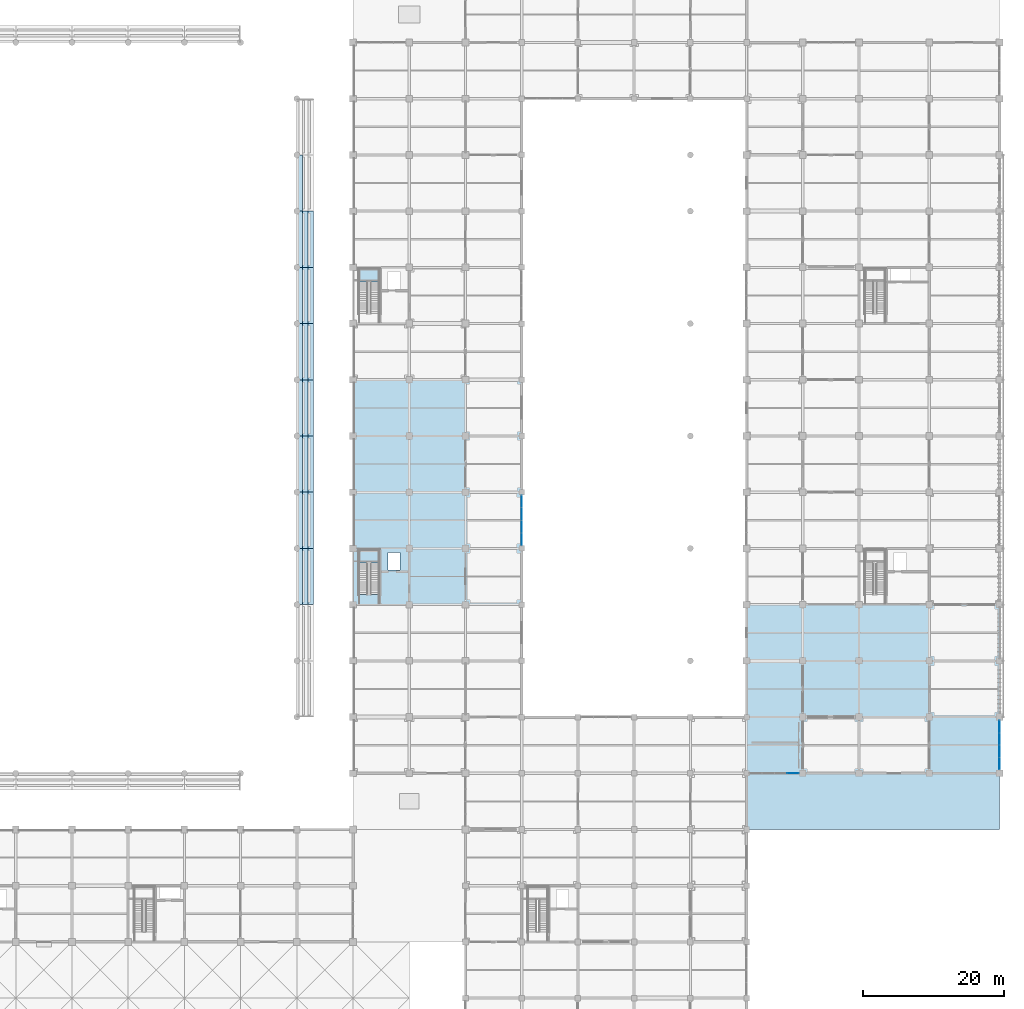
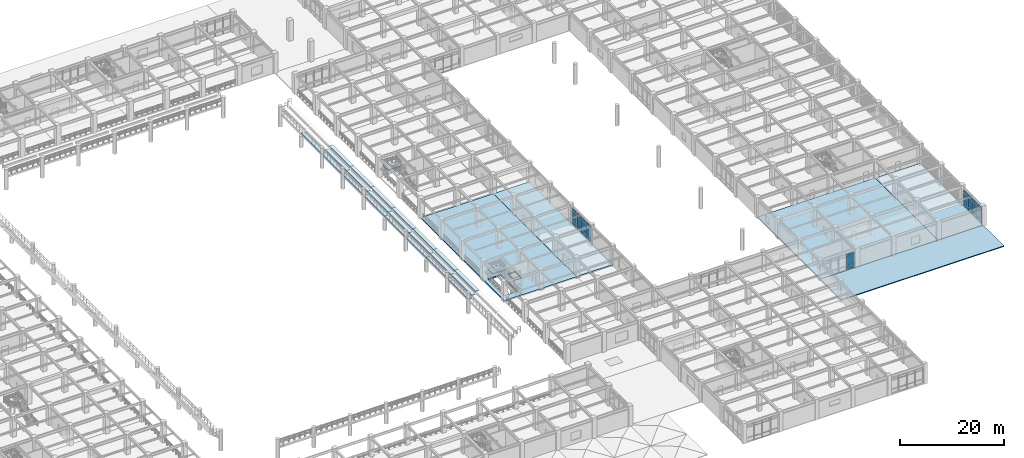
# One storey, part 60 of 109: 29 slabs, 27 plates, 5 elements without a shape of their own.
"""IFC4 building model written with IfcOpenShell, lengths in metres."""

from ifc_helpers import new_model, si_unit, direction, frame, origin, origin_2d, place, context, subcontext, project, spatial, polyline, rectangle, outline, extrude, material, layer, layer_set, type_object, element, aggregate, save


model = new_model("IFC4")

# Units and contexts
model_context = context("Model", 3, precision=1e-05, world=origin(), true_north=direction((0.0, 1.0)))
body_context = subcontext(model_context, "Body", "Model", "MODEL_VIEW")
ifc_project = project(units=[si_unit("LENGTHUNIT", "METRE"), si_unit("AREAUNIT", "SQUARE_METRE"), si_unit("VOLUMEUNIT", "CUBIC_METRE"), si_unit("PLANEANGLEUNIT", "RADIAN"), si_unit("MASSUNIT", "GRAM", prefix="KILO")], contexts=[model_context])

# Site, building, storey
site_placement = place(None, origin())
site = spatial("IfcSite", under=ifc_project, at=site_placement, CompositionType="ELEMENT")
building_placement = place(site_placement, origin())
building = spatial("IfcBuilding", under=site, at=building_placement, Name="Haebicheon Civic Stadium", CompositionType="ELEMENT")
storey_placement = place(building_placement, frame((0.0, 0.0, 9.60009765625)))
storey = spatial("IfcBuildingStorey", under=building, at=storey_placement, Name="L03", CompositionType="ELEMENT", Elevation=9.60009765625)

# Curtain wall, plates
ifc_material_1 = material(Name="Anodised aluminium and laminated glass", Category="aluminium")
ifc_layer_1 = layer(ifc_material_1, 0.179931640625, Name="Anodised aluminium and laminated glass")
ifc_layer_set_1 = layer_set([ifc_layer_1], Name="Anodised aluminium and laminated glass")
curtain_wall_type_1 = type_object("IfcCurtainWallType", Name="CW-7200x3770", PredefinedType="NOTDEFINED", material=ifc_layer_set_1)
curtain_wall_1_placement = place(storey_placement, origin())
curtain_wall_1 = element("IfcCurtainWall", 1, at=curtain_wall_1_placement, inside=storey, type_object=curtain_wall_type_1, material=ifc_layer_set_1, Name="L03 unitised curtain wall 088", PredefinedType="NOTDEFINED")
ifc_material_2 = material(Name="Double low-e laminated glass", Category="glass")
ifc_layer_2 = layer(ifc_material_2, 0.028076171875, Name="Double low-e laminated glass")
ifc_layer_set_2 = layer_set([ifc_layer_2], Name="Double low-e laminated glass")
plate_type_1 = type_object("IfcPlateType", Name="CWP-GLZ-28", PredefinedType="CURTAIN_PANEL", material=ifc_layer_set_2)
plate_1_placement = place(storey_placement, frame((168.0, 73.318115234375, 1.094970703125), z_axis=(0.0, 0.0, 1.0), x_axis=(0.0, 1.0, 0.0)))
plate_1 = element("IfcPlate", 2, at=plate_1_placement, type_object=plate_type_1, material=ifc_layer_set_2, Name="CW-L03-088 vision panel 1.2", PredefinedType="CURTAIN_PANEL", context=body_context, shape_type="SweptSolid", body=[
    extrude(rectangle(XDim=1.695068359375, YDim=0.028076171875, at=origin_2d()), origin(), (0.0, 0.0, 1.0), 2.25),
])
plate_2_placement = place(storey_placement, frame((168.0, 75.10009765625, 1.094970703125), z_axis=(0.0, 0.0, 1.0), x_axis=(0.0, 1.0, 0.0)))
plate_2 = element("IfcPlate", 3, at=plate_2_placement, type_object=plate_type_1, material=ifc_layer_set_2, Name="CW-L03-088 vision panel 2.2", PredefinedType="CURTAIN_PANEL", context=body_context, shape_type="SweptSolid", body=[
    extrude(rectangle(XDim=1.72998046875, YDim=0.028076171875, at=origin_2d()), origin(), (0.0, 0.0, 1.0), 2.25),
])
plate_3_placement = place(storey_placement, frame((168.0, 76.89990234375, 1.094970703125), z_axis=(0.0, 0.0, 1.0), x_axis=(0.0, 1.0, 0.0)))
plate_3 = element("IfcPlate", 4, at=plate_3_placement, type_object=plate_type_1, material=ifc_layer_set_2, Name="CW-L03-088 vision panel 3.2", PredefinedType="CURTAIN_PANEL", context=body_context, shape_type="SweptSolid", body=[
    extrude(rectangle(XDim=1.72998046875, YDim=0.028076171875, at=origin_2d()), origin(), (0.0, 0.0, 1.0), 2.25),
])
plate_4_placement = place(storey_placement, frame((168.0, 78.681884765625, 1.094970703125), z_axis=(0.0, 0.0, 1.0), x_axis=(0.0, 1.0, 0.0)))
plate_4 = element("IfcPlate", 5, at=plate_4_placement, type_object=plate_type_1, material=ifc_layer_set_2, Name="CW-L03-088 vision panel 4.2", PredefinedType="CURTAIN_PANEL", context=body_context, shape_type="SweptSolid", body=[
    extrude(rectangle(XDim=1.695068359375, YDim=0.028076171875, at=origin_2d()), origin(), (0.0, 0.0, 1.0), 2.25),
])

# Curtain wall, plate
ifc_material_3 = material(Name="Anodised aluminium and laminated glass", Category="aluminium")
ifc_layer_3 = layer(ifc_material_3, 0.179931640625, Name="Anodised aluminium and laminated glass")
ifc_layer_set_3 = layer_set([ifc_layer_3], Name="Anodised aluminium and laminated glass")
curtain_wall_type_2 = type_object("IfcCurtainWallType", Name="CW-7125x3630", PredefinedType="NOTDEFINED", material=ifc_layer_set_3)
curtain_wall_2_placement = place(storey_placement, origin())
curtain_wall_2 = element("IfcCurtainWall", 6, at=curtain_wall_2_placement, inside=storey, type_object=curtain_wall_type_2, material=ifc_layer_set_3, Name="L03 unitised curtain wall 097", PredefinedType="NOTDEFINED")
plate_5_placement = place(storey_placement, frame((206.616943359375, 40.0, 1.0947265625), z_axis=(0.0, 0.0, 1.0), x_axis=(1.0, 0.0, 0.0)))
plate_5 = element("IfcPlate", 7, at=plate_5_placement, type_object=plate_type_1, material=ifc_layer_set_2, Name="CW-L03-097 vision panel 4.2", PredefinedType="CURTAIN_PANEL", context=body_context, shape_type="SweptSolid", body=[
    extrude(rectangle(XDim=1.676025390625, YDim=0.028076171875, at=origin_2d()), origin(), (0.0, 0.0, 1.0), 2.110107421875),
])

# Curtain wall, plates
ifc_material_4 = material(Name="Anodised aluminium and laminated glass", Category="aluminium")
ifc_layer_4 = layer(ifc_material_4, 0.179931640625, Name="Anodised aluminium and laminated glass")
ifc_layer_set_4 = layer_set([ifc_layer_4], Name="Anodised aluminium and laminated glass")
curtain_wall_type_3 = type_object("IfcCurtainWallType", Name="CW-7050x3830", PredefinedType="NOTDEFINED", material=ifc_layer_set_4)
curtain_wall_3_placement = place(storey_placement, origin())
curtain_wall_3 = element("IfcCurtainWall", 8, at=curtain_wall_3_placement, inside=storey, type_object=curtain_wall_type_3, material=ifc_layer_set_4, Name="L03 unitised curtain wall 101", PredefinedType="NOTDEFINED")
plate_6_placement = place(storey_placement, frame((236.0, 41.3740234375, 0.934814453125), z_axis=(0.0, 0.0, 1.0), x_axis=(0.0, 1.0, 0.0)))
plate_6 = element("IfcPlate", 9, at=plate_6_placement, type_object=plate_type_1, material=ifc_layer_set_2, Name="CW-L03-101 vision panel 1.2", PredefinedType="CURTAIN_PANEL", context=body_context, shape_type="SweptSolid", body=[
    extrude(rectangle(XDim=1.656982421875, YDim=0.028076171875, at=origin_2d()), origin(), (0.0, 0.0, 1.0), 2.31005859375),
])
plate_7_placement = place(storey_placement, frame((236.0, 43.117919921875, 0.934814453125), z_axis=(0.0, 0.0, 1.0), x_axis=(0.0, 1.0, 0.0)))
plate_7 = element("IfcPlate", 10, at=plate_7_placement, type_object=plate_type_1, material=ifc_layer_set_2, Name="CW-L03-101 vision panel 2.2", PredefinedType="CURTAIN_PANEL", context=body_context, shape_type="SweptSolid", body=[
    extrude(rectangle(XDim=1.693115234375, YDim=0.028076171875, at=origin_2d()), origin(), (0.0, 0.0, 1.0), 2.31005859375),
])
plate_8_placement = place(storey_placement, frame((236.0, 44.882080078125, 0.934814453125), z_axis=(0.0, 0.0, 1.0), x_axis=(0.0, 1.0, 0.0)))
plate_8 = element("IfcPlate", 11, at=plate_8_placement, type_object=plate_type_1, material=ifc_layer_set_2, Name="CW-L03-101 vision panel 3.2", PredefinedType="CURTAIN_PANEL", context=body_context, shape_type="SweptSolid", body=[
    extrude(rectangle(XDim=1.693115234375, YDim=0.028076171875, at=origin_2d()), origin(), (0.0, 0.0, 1.0), 2.31005859375),
])
plate_9_placement = place(storey_placement, frame((236.0, 46.6259765625, 0.934814453125), z_axis=(0.0, 0.0, 1.0), x_axis=(0.0, 1.0, 0.0)))
plate_9 = element("IfcPlate", 12, at=plate_9_placement, type_object=plate_type_1, material=ifc_layer_set_2, Name="CW-L03-101 vision panel 4.2", PredefinedType="CURTAIN_PANEL", context=body_context, shape_type="SweptSolid", body=[
    extrude(rectangle(XDim=1.656982421875, YDim=0.028076171875, at=origin_2d()), origin(), (0.0, 0.0, 1.0), 2.31005859375),
])

# Plate
ifc_material_5 = material(Name="Anodised aluminium 6063-T6", Category="aluminium")
ifc_layer_5 = layer(ifc_material_5, 0.0439453125, Name="Anodised aluminium 6063-T6")
ifc_layer_set_5 = layer_set([ifc_layer_5], Name="Anodised aluminium 6063-T6")
plate_type_2 = type_object("IfcPlateType", Name="CWP-SPD-44", PredefinedType="CURTAIN_PANEL", material=ifc_layer_set_5)
plate_10_placement = place(storey_placement, frame((168.0, 73.318115234375, 0.19482421875), z_axis=(0.0, 0.0, 1.0), x_axis=(0.0, 1.0, 0.0)))
plate_10 = element("IfcPlate", 13, at=plate_10_placement, type_object=plate_type_2, material=ifc_layer_set_5, Name="CW-L03-088 spandrel panel 1.1", PredefinedType="CURTAIN_PANEL", context=body_context, shape_type="SweptSolid", body=[
    extrude(rectangle(XDim=1.695068359375, YDim=0.0439453125, at=origin_2d()), origin(), (0.0, 0.0, 1.0), 0.830078125),
])

plate_11_placement = place(storey_placement, frame((168.0, 73.318115234375, 3.414794921875), z_axis=(0.0, 0.0, 1.0), x_axis=(0.0, 1.0, 0.0)))
plate_11 = element("IfcPlate", 14, at=plate_11_placement, type_object=plate_type_2, material=ifc_layer_set_5, Name="CW-L03-088 spandrel panel 1.3", PredefinedType="CURTAIN_PANEL", context=body_context, shape_type="SweptSolid", body=[
    extrude(rectangle(XDim=1.695068359375, YDim=0.0439453125, at=origin_2d()), origin(), (0.0, 0.0, 1.0), 0.47998046875),
])

plate_12_placement = place(storey_placement, frame((168.0, 75.10009765625, 0.19482421875), z_axis=(0.0, 0.0, 1.0), x_axis=(0.0, 1.0, 0.0)))
plate_12 = element("IfcPlate", 15, at=plate_12_placement, type_object=plate_type_2, material=ifc_layer_set_5, Name="CW-L03-088 spandrel panel 2.1", PredefinedType="CURTAIN_PANEL", context=body_context, shape_type="SweptSolid", body=[
    extrude(rectangle(XDim=1.72998046875, YDim=0.0439453125, at=origin_2d()), origin(), (0.0, 0.0, 1.0), 0.830078125),
])

plate_13_placement = place(storey_placement, frame((168.0, 75.10009765625, 3.414794921875), z_axis=(0.0, 0.0, 1.0), x_axis=(0.0, 1.0, 0.0)))
plate_13 = element("IfcPlate", 16, at=plate_13_placement, type_object=plate_type_2, material=ifc_layer_set_5, Name="CW-L03-088 spandrel panel 2.3", PredefinedType="CURTAIN_PANEL", context=body_context, shape_type="SweptSolid", body=[
    extrude(rectangle(XDim=1.72998046875, YDim=0.0439453125, at=origin_2d()), origin(), (0.0, 0.0, 1.0), 0.47998046875),
])

plate_14_placement = place(storey_placement, frame((168.0, 76.89990234375, 0.19482421875), z_axis=(0.0, 0.0, 1.0), x_axis=(0.0, 1.0, 0.0)))
plate_14 = element("IfcPlate", 17, at=plate_14_placement, type_object=plate_type_2, material=ifc_layer_set_5, Name="CW-L03-088 spandrel panel 3.1", PredefinedType="CURTAIN_PANEL", context=body_context, shape_type="SweptSolid", body=[
    extrude(rectangle(XDim=1.72998046875, YDim=0.0439453125, at=origin_2d()), origin(), (0.0, 0.0, 1.0), 0.830078125),
])

plate_15_placement = place(storey_placement, frame((168.0, 76.89990234375, 3.414794921875), z_axis=(0.0, 0.0, 1.0), x_axis=(0.0, 1.0, 0.0)))
plate_15 = element("IfcPlate", 18, at=plate_15_placement, type_object=plate_type_2, material=ifc_layer_set_5, Name="CW-L03-088 spandrel panel 3.3", PredefinedType="CURTAIN_PANEL", context=body_context, shape_type="SweptSolid", body=[
    extrude(rectangle(XDim=1.72998046875, YDim=0.0439453125, at=origin_2d()), origin(), (0.0, 0.0, 1.0), 0.47998046875),
])

plate_16_placement = place(storey_placement, frame((168.0, 78.681884765625, 0.19482421875), z_axis=(0.0, 0.0, 1.0), x_axis=(0.0, 1.0, 0.0)))
plate_16 = element("IfcPlate", 19, at=plate_16_placement, type_object=plate_type_2, material=ifc_layer_set_5, Name="CW-L03-088 spandrel panel 4.1", PredefinedType="CURTAIN_PANEL", context=body_context, shape_type="SweptSolid", body=[
    extrude(rectangle(XDim=1.695068359375, YDim=0.0439453125, at=origin_2d()), origin(), (0.0, 0.0, 1.0), 0.830078125),
])

plate_17_placement = place(storey_placement, frame((168.0, 78.681884765625, 3.414794921875), z_axis=(0.0, 0.0, 1.0), x_axis=(0.0, 1.0, 0.0)))
plate_17 = element("IfcPlate", 20, at=plate_17_placement, type_object=plate_type_2, material=ifc_layer_set_5, Name="CW-L03-088 spandrel panel 4.3", PredefinedType="CURTAIN_PANEL", context=body_context, shape_type="SweptSolid", body=[
    extrude(rectangle(XDim=1.695068359375, YDim=0.0439453125, at=origin_2d()), origin(), (0.0, 0.0, 1.0), 0.47998046875),
])

aggregate(curtain_wall_1, [plate_10, plate_1, plate_11, plate_12, plate_2, plate_13, plate_14, plate_3, plate_15, plate_16, plate_4, plate_17])

plate_18_placement = place(storey_placement, frame((206.616943359375, 40.0, 0.19482421875), z_axis=(0.0, 0.0, 1.0), x_axis=(1.0, 0.0, 0.0)))
plate_18 = element("IfcPlate", 21, at=plate_18_placement, type_object=plate_type_2, material=ifc_layer_set_5, Name="CW-L03-097 spandrel panel 4.1", PredefinedType="CURTAIN_PANEL", context=body_context, shape_type="SweptSolid", body=[
    extrude(rectangle(XDim=1.676025390625, YDim=0.0439453125, at=origin_2d()), origin(), (0.0, 0.0, 1.0), 0.830078125),
])

plate_19_placement = place(storey_placement, frame((206.616943359375, 40.0, 3.27490234375), z_axis=(0.0, 0.0, 1.0), x_axis=(1.0, 0.0, 0.0)))
plate_19 = element("IfcPlate", 22, at=plate_19_placement, type_object=plate_type_2, material=ifc_layer_set_5, Name="CW-L03-097 spandrel panel 4.3", PredefinedType="CURTAIN_PANEL", context=body_context, shape_type="SweptSolid", body=[
    extrude(rectangle(XDim=1.676025390625, YDim=0.0439453125, at=origin_2d()), origin(), (0.0, 0.0, 1.0), 0.47998046875),
])

aggregate(curtain_wall_2, [plate_18, plate_5, plate_19])

plate_20_placement = place(storey_placement, frame((236.0, 41.3740234375, 0.034912109375), z_axis=(0.0, 0.0, 1.0), x_axis=(0.0, 1.0, 0.0)))
plate_20 = element("IfcPlate", 23, at=plate_20_placement, type_object=plate_type_2, material=ifc_layer_set_5, Name="CW-L03-101 spandrel panel 1.1", PredefinedType="CURTAIN_PANEL", context=body_context, shape_type="SweptSolid", body=[
    extrude(rectangle(XDim=1.656982421875, YDim=0.0439453125, at=origin_2d()), origin(), (0.0, 0.0, 1.0), 0.830078125),
])

plate_21_placement = place(storey_placement, frame((236.0, 41.3740234375, 3.31494140625), z_axis=(0.0, 0.0, 1.0), x_axis=(0.0, 1.0, 0.0)))
plate_21 = element("IfcPlate", 24, at=plate_21_placement, type_object=plate_type_2, material=ifc_layer_set_5, Name="CW-L03-101 spandrel panel 1.3", PredefinedType="CURTAIN_PANEL", context=body_context, shape_type="SweptSolid", body=[
    extrude(rectangle(XDim=1.656982421875, YDim=0.0439453125, at=origin_2d()), origin(), (0.0, 0.0, 1.0), 0.47998046875),
])

plate_22_placement = place(storey_placement, frame((236.0, 43.117919921875, 0.034912109375), z_axis=(0.0, 0.0, 1.0), x_axis=(0.0, 1.0, 0.0)))
plate_22 = element("IfcPlate", 25, at=plate_22_placement, type_object=plate_type_2, material=ifc_layer_set_5, Name="CW-L03-101 spandrel panel 2.1", PredefinedType="CURTAIN_PANEL", context=body_context, shape_type="SweptSolid", body=[
    extrude(rectangle(XDim=1.693115234375, YDim=0.0439453125, at=origin_2d()), origin(), (0.0, 0.0, 1.0), 0.830078125),
])

plate_23_placement = place(storey_placement, frame((236.0, 43.117919921875, 3.31494140625), z_axis=(0.0, 0.0, 1.0), x_axis=(0.0, 1.0, 0.0)))
plate_23 = element("IfcPlate", 26, at=plate_23_placement, type_object=plate_type_2, material=ifc_layer_set_5, Name="CW-L03-101 spandrel panel 2.3", PredefinedType="CURTAIN_PANEL", context=body_context, shape_type="SweptSolid", body=[
    extrude(rectangle(XDim=1.693115234375, YDim=0.0439453125, at=origin_2d()), origin(), (0.0, 0.0, 1.0), 0.47998046875),
])

plate_24_placement = place(storey_placement, frame((236.0, 44.882080078125, 0.034912109375), z_axis=(0.0, 0.0, 1.0), x_axis=(0.0, 1.0, 0.0)))
plate_24 = element("IfcPlate", 27, at=plate_24_placement, type_object=plate_type_2, material=ifc_layer_set_5, Name="CW-L03-101 spandrel panel 3.1", PredefinedType="CURTAIN_PANEL", context=body_context, shape_type="SweptSolid", body=[
    extrude(rectangle(XDim=1.693115234375, YDim=0.0439453125, at=origin_2d()), origin(), (0.0, 0.0, 1.0), 0.830078125),
])

plate_25_placement = place(storey_placement, frame((236.0, 44.882080078125, 3.31494140625), z_axis=(0.0, 0.0, 1.0), x_axis=(0.0, 1.0, 0.0)))
plate_25 = element("IfcPlate", 28, at=plate_25_placement, type_object=plate_type_2, material=ifc_layer_set_5, Name="CW-L03-101 spandrel panel 3.3", PredefinedType="CURTAIN_PANEL", context=body_context, shape_type="SweptSolid", body=[
    extrude(rectangle(XDim=1.693115234375, YDim=0.0439453125, at=origin_2d()), origin(), (0.0, 0.0, 1.0), 0.47998046875),
])

plate_26_placement = place(storey_placement, frame((236.0, 46.6259765625, 0.034912109375), z_axis=(0.0, 0.0, 1.0), x_axis=(0.0, 1.0, 0.0)))
plate_26 = element("IfcPlate", 29, at=plate_26_placement, type_object=plate_type_2, material=ifc_layer_set_5, Name="CW-L03-101 spandrel panel 4.1", PredefinedType="CURTAIN_PANEL", context=body_context, shape_type="SweptSolid", body=[
    extrude(rectangle(XDim=1.656982421875, YDim=0.0439453125, at=origin_2d()), origin(), (0.0, 0.0, 1.0), 0.830078125),
])

plate_27_placement = place(storey_placement, frame((236.0, 46.6259765625, 3.31494140625), z_axis=(0.0, 0.0, 1.0), x_axis=(0.0, 1.0, 0.0)))
plate_27 = element("IfcPlate", 30, at=plate_27_placement, type_object=plate_type_2, material=ifc_layer_set_5, Name="CW-L03-101 spandrel panel 4.3", PredefinedType="CURTAIN_PANEL", context=body_context, shape_type="SweptSolid", body=[
    extrude(rectangle(XDim=1.656982421875, YDim=0.0439453125, at=origin_2d()), origin(), (0.0, 0.0, 1.0), 0.47998046875),
])

aggregate(curtain_wall_3, [plate_20, plate_6, plate_21, plate_22, plate_7, plate_23, plate_24, plate_8, plate_25, plate_26, plate_9, plate_27])

# Slabs
ifc_material_6 = material(Name="Concrete C40/50", Category="concrete")
ifc_layer_6 = layer(ifc_material_6, 0.280029296875, Name="Concrete C40/50")
ifc_layer_set_6 = layer_set([ifc_layer_6], Name="Concrete C40/50")
slab_type_1 = type_object("IfcSlabType", Name="SLB-FLR-280", PredefinedType="FLOOR", material=ifc_layer_set_6)
slab_1_placement = place(storey_placement, frame((0.0, 0.0, -0.280029296875)))
element("IfcSlab", 31, at=slab_1_placement, inside=storey, type_object=slab_type_1, material=ifc_layer_set_6, Name="L03 V2 structural slab 9.1", PredefinedType="FLOOR", context=body_context, shape_type="SweptSolid", body=[
    extrude(outline(polyline([(144.0, 80.0), (144.0, 88.0), (144.0, 96.0), (152.0, 96.0), (160.0, 96.0), (160.0, 88.0), (160.0, 80.0), (160.0, 72.0), (160.0, 64.0), (152.0, 64.0), (144.0, 64.0), (144.0, 72.0), (144.0, 80.0)]), holes=[polyline([(144.840087890625, 65.4599609375), (147.739990234375, 65.4599609375), (147.739990234375, 71.840087890625), (144.840087890625, 71.840087890625), (144.840087890625, 65.4599609375)]), polyline([(148.969970703125, 68.929931640625), (150.669921875, 68.929931640625), (150.669921875, 71.429931640625), (148.969970703125, 71.429931640625), (148.969970703125, 68.929931640625)])]), origin(), (0.0, 0.0, 1.0), 0.280029296875),
])
slab_2_placement = place(storey_placement, frame((0.0, 0.0, -0.280029296875)))
element("IfcSlab", 32, at=slab_2_placement, inside=storey, type_object=slab_type_1, material=ifc_layer_set_6, Name="L03 V3 structural slab 1.1", PredefinedType="FLOOR", context=body_context, shape_type="SweptSolid", body=[
    extrude(outline(polyline([(200.0, 56.0), (200.0, 64.0), (208.0, 64.0), (216.0, 64.0), (226.0, 64.0), (226.0, 56.0), (226.0, 48.0), (226.0, 40.0), (216.0, 40.0), (208.0, 40.0), (200.0, 40.0), (200.0, 48.0), (200.0, 56.0)])), origin(), (0.0, 0.0, 1.0), 0.280029296875),
])
slab_3_placement = place(storey_placement, frame((0.0, 0.0, -0.280029296875)))
element("IfcSlab", 33, at=slab_3_placement, inside=storey, type_object=slab_type_1, material=ifc_layer_set_6, Name="L03 V3 structural slab 5.1", PredefinedType="FLOOR", context=body_context, shape_type="SweptSolid", body=[
    extrude(outline(polyline([(236.0, 40.0), (226.0, 40.0), (226.0, 48.0), (226.0, 56.0), (226.0, 64.0), (236.0, 64.0), (236.0, 56.0), (236.0, 48.0), (236.0, 40.0)])), origin(), (0.0, 0.0, 1.0), 0.280029296875),
])
slab_4_placement = place(storey_placement, frame((0.0, 0.0, -0.280029296875)))
element("IfcSlab", 34, at=slab_4_placement, inside=storey, type_object=slab_type_1, material=ifc_layer_set_6, Name="L03 V4 structural slab 3.1", PredefinedType="FLOOR", context=body_context, shape_type="SweptSolid", body=[
    extrude(outline(polyline([(160.0, 64.0), (160.0, 72.0), (160.0, 80.0), (160.0, 88.0), (160.0, 96.0), (168.0, 96.0), (168.0, 88.0), (168.0, 80.0), (168.0, 72.0), (168.0, 64.0), (160.0, 64.0)])), origin(), (0.0, 0.0, 1.0), 0.280029296875),
])

# Stair, slab
ifc_material_7 = material(Name="Concrete C40/50", Category="concrete")
stair_type_1 = type_object("IfcStairType", Name="STR-DL-W128-H48", PredefinedType="HALF_TURN_STAIR", material=ifc_material_7)
stair_1_placement = place(storey_placement, origin())
stair_1 = element("IfcStair", 35, at=stair_1_placement, inside=storey, type_object=stair_type_1, material=ifc_material_7, Name="L03 Escape stair ST-10", PredefinedType="HALF_TURN_STAIR")
ifc_material_8 = material(Name="Concrete C40/50", Category="concrete")
ifc_layer_7 = layer(ifc_material_8, 0.199951171875, Name="Concrete C40/50")
ifc_layer_set_7 = layer_set([ifc_layer_7], Name="Concrete C40/50")
slab_type_2 = type_object("IfcSlabType", Name="SLB-LND-200", PredefinedType="LANDING", material=ifc_layer_set_7)
slab_5_placement = place(storey_placement, frame((0.0, 0.0, 2.199951171875)))
slab_5 = element("IfcSlab", 36, at=slab_5_placement, type_object=slab_type_2, material=ifc_layer_set_7, Name="ST-10 landing 1", PredefinedType="LANDING", context=body_context, shape_type="SweptSolid", body=[
    extrude(outline(polyline([(147.739990234375, 69.949951171875), (147.739990234375, 71.840087890625), (144.840087890625, 71.840087890625), (144.840087890625, 69.949951171875), (147.739990234375, 69.949951171875)])), origin(), (0.0, 0.0, 1.0), 0.199951171875),
])
aggregate(stair_1, [slab_5])

ifc_material_9 = material(Name="Concrete C40/50", Category="concrete")
stair_type_2 = type_object("IfcStairType", Name="STR-DL-W126-H48", PredefinedType="HALF_TURN_STAIR", material=ifc_material_9)
stair_2_placement = place(storey_placement, origin())
stair_2 = element("IfcStair", 37, at=stair_2_placement, inside=storey, type_object=stair_type_2, material=ifc_material_9, Name="L03 Escape stair ST-11", PredefinedType="HALF_TURN_STAIR")
slab_6_placement = place(storey_placement, frame((0.0, 0.0, 2.199951171875)))
slab_6 = element("IfcSlab", 38, at=slab_6_placement, type_object=slab_type_2, material=ifc_layer_set_7, Name="ST-11 landing 1", PredefinedType="LANDING", context=body_context, shape_type="SweptSolid", body=[
    extrude(outline(polyline([(147.739990234375, 109.949951171875), (147.739990234375, 111.840087890625), (144.840087890625, 111.840087890625), (144.840087890625, 109.949951171875), (147.739990234375, 109.949951171875)])), origin(), (0.0, 0.0, 1.0), 0.199951171875),
])
aggregate(stair_2, [slab_6])

# Slabs
ifc_material_10 = material(Name="Concrete C40/50", Category="concrete")
ifc_layer_8 = layer(ifc_material_10, 0.18994140625, Name="Concrete C40/50")
ifc_layer_set_8 = layer_set([ifc_layer_8], Name="Concrete C40/50")
slab_type_3 = type_object("IfcSlabType", Name="SLB-ROOF-190", PredefinedType="ROOF", material=ifc_layer_set_8)
slab_7_placement = place(storey_placement, frame((0.0, 0.0, -0.190185546875)))
element("IfcSlab", 39, at=slab_7_placement, inside=storey, type_object=slab_type_3, material=ifc_layer_set_8, Name="L03 V3 roof deck slab 1", PredefinedType="ROOF", context=body_context, shape_type="SweptSolid", body=[
    extrude(outline(polyline([(200.0, 40.0), (236.0, 40.0), (236.0, 32.0), (200.0, 32.0), (200.0, 40.0)])), origin(), (0.0, 0.0, 1.0), 0.190185546875),
])
ifc_material_11 = material(Name="Precast concrete C40/50", Category="concrete")
ifc_layer_9 = layer(ifc_material_11, 0.239990234375, Name="Precast concrete C40/50")
ifc_layer_set_9 = layer_set([ifc_layer_9], Name="Precast concrete C40/50")
slab_type_4 = type_object("IfcSlabType", Name="SLB-TIER-240", PredefinedType="USERDEFINED", material=ifc_layer_set_9)
slab_8_placement = place(storey_placement, frame((0.0, 0.0, 2.9599609375)))
element("IfcSlab", 40, at=slab_8_placement, inside=storey, type_object=slab_type_4, material=ifc_layer_set_9, Name="TIER-E-U precast seating tier bay 3 row-band 1", ObjectType="SEATING TIER", PredefinedType="USERDEFINED", context=body_context, shape_type="SweptSolid", body=[
    extrude(outline(polyline([(136.0, 64.0), (136.800048828125, 64.0), (136.800048828125, 72.0), (136.0, 72.0), (136.0, 64.0)])), origin(), (0.0, 0.0, 1.0), 0.239990234375),
])
slab_9_placement = place(storey_placement, frame((0.0, 0.0, 3.60400390625)))
element("IfcSlab", 41, at=slab_9_placement, inside=storey, type_object=slab_type_4, material=ifc_layer_set_9, Name="TIER-E-U precast seating tier bay 3 row-band 2", ObjectType="SEATING TIER", PredefinedType="USERDEFINED", context=body_context, shape_type="SweptSolid", body=[
    extrude(outline(polyline([(136.800048828125, 64.0), (137.60009765625, 64.0), (137.60009765625, 72.0), (136.800048828125, 72.0), (136.800048828125, 64.0)])), origin(), (0.0, 0.0, 1.0), 0.239990234375),
])
slab_10_placement = place(storey_placement, frame((0.0, 0.0, 4.2490234375)))
element("IfcSlab", 42, at=slab_10_placement, inside=storey, type_object=slab_type_4, material=ifc_layer_set_9, Name="TIER-E-U precast seating tier bay 3 row-band 3", ObjectType="SEATING TIER", PredefinedType="USERDEFINED", context=body_context, shape_type="SweptSolid", body=[
    extrude(outline(polyline([(137.60009765625, 64.0), (138.39990234375, 64.0), (138.39990234375, 72.0), (137.60009765625, 72.0), (137.60009765625, 64.0)])), origin(), (0.0, 0.0, 1.0), 0.239990234375),
])
slab_11_placement = place(storey_placement, frame((0.0, 0.0, 2.9599609375)))
element("IfcSlab", 43, at=slab_11_placement, inside=storey, type_object=slab_type_4, material=ifc_layer_set_9, Name="TIER-E-U precast seating tier bay 4 row-band 1", ObjectType="SEATING TIER", PredefinedType="USERDEFINED", context=body_context, shape_type="SweptSolid", body=[
    extrude(outline(polyline([(136.0, 72.0), (136.800048828125, 72.0), (136.800048828125, 80.0), (136.0, 80.0), (136.0, 72.0)])), origin(), (0.0, 0.0, 1.0), 0.239990234375),
])
slab_12_placement = place(storey_placement, frame((0.0, 0.0, 3.60400390625)))
element("IfcSlab", 44, at=slab_12_placement, inside=storey, type_object=slab_type_4, material=ifc_layer_set_9, Name="TIER-E-U precast seating tier bay 4 row-band 2", ObjectType="SEATING TIER", PredefinedType="USERDEFINED", context=body_context, shape_type="SweptSolid", body=[
    extrude(outline(polyline([(136.800048828125, 72.0), (137.60009765625, 72.0), (137.60009765625, 80.0), (136.800048828125, 80.0), (136.800048828125, 72.0)])), origin(), (0.0, 0.0, 1.0), 0.239990234375),
])
slab_13_placement = place(storey_placement, frame((0.0, 0.0, 4.2490234375)))
element("IfcSlab", 45, at=slab_13_placement, inside=storey, type_object=slab_type_4, material=ifc_layer_set_9, Name="TIER-E-U precast seating tier bay 4 row-band 3", ObjectType="SEATING TIER", PredefinedType="USERDEFINED", context=body_context, shape_type="SweptSolid", body=[
    extrude(outline(polyline([(137.60009765625, 72.0), (138.39990234375, 72.0), (138.39990234375, 80.0), (137.60009765625, 80.0), (137.60009765625, 72.0)])), origin(), (0.0, 0.0, 1.0), 0.239990234375),
])
slab_14_placement = place(storey_placement, frame((0.0, 0.0, 2.9599609375)))
element("IfcSlab", 46, at=slab_14_placement, inside=storey, type_object=slab_type_4, material=ifc_layer_set_9, Name="TIER-E-U precast seating tier bay 5 row-band 1", ObjectType="SEATING TIER", PredefinedType="USERDEFINED", context=body_context, shape_type="SweptSolid", body=[
    extrude(outline(polyline([(136.0, 80.0), (136.800048828125, 80.0), (136.800048828125, 88.0), (136.0, 88.0), (136.0, 80.0)])), origin(), (0.0, 0.0, 1.0), 0.239990234375),
])
slab_15_placement = place(storey_placement, frame((0.0, 0.0, 3.60400390625)))
element("IfcSlab", 47, at=slab_15_placement, inside=storey, type_object=slab_type_4, material=ifc_layer_set_9, Name="TIER-E-U precast seating tier bay 5 row-band 2", ObjectType="SEATING TIER", PredefinedType="USERDEFINED", context=body_context, shape_type="SweptSolid", body=[
    extrude(outline(polyline([(136.800048828125, 80.0), (137.60009765625, 80.0), (137.60009765625, 88.0), (136.800048828125, 88.0), (136.800048828125, 80.0)])), origin(), (0.0, 0.0, 1.0), 0.239990234375),
])
slab_16_placement = place(storey_placement, frame((0.0, 0.0, 4.2490234375)))
element("IfcSlab", 48, at=slab_16_placement, inside=storey, type_object=slab_type_4, material=ifc_layer_set_9, Name="TIER-E-U precast seating tier bay 5 row-band 3", ObjectType="SEATING TIER", PredefinedType="USERDEFINED", context=body_context, shape_type="SweptSolid", body=[
    extrude(outline(polyline([(137.60009765625, 80.0), (138.39990234375, 80.0), (138.39990234375, 88.0), (137.60009765625, 88.0), (137.60009765625, 80.0)])), origin(), (0.0, 0.0, 1.0), 0.239990234375),
])
slab_17_placement = place(storey_placement, frame((0.0, 0.0, 2.9599609375)))
element("IfcSlab", 49, at=slab_17_placement, inside=storey, type_object=slab_type_4, material=ifc_layer_set_9, Name="TIER-E-U precast seating tier bay 6 row-band 1", ObjectType="SEATING TIER", PredefinedType="USERDEFINED", context=body_context, shape_type="SweptSolid", body=[
    extrude(outline(polyline([(136.0, 88.0), (136.800048828125, 88.0), (136.800048828125, 96.0), (136.0, 96.0), (136.0, 88.0)])), origin(), (0.0, 0.0, 1.0), 0.239990234375),
])
slab_18_placement = place(storey_placement, frame((0.0, 0.0, 3.60400390625)))
element("IfcSlab", 50, at=slab_18_placement, inside=storey, type_object=slab_type_4, material=ifc_layer_set_9, Name="TIER-E-U precast seating tier bay 6 row-band 2", ObjectType="SEATING TIER", PredefinedType="USERDEFINED", context=body_context, shape_type="SweptSolid", body=[
    extrude(outline(polyline([(136.800048828125, 88.0), (137.60009765625, 88.0), (137.60009765625, 96.0), (136.800048828125, 96.0), (136.800048828125, 88.0)])), origin(), (0.0, 0.0, 1.0), 0.239990234375),
])
slab_19_placement = place(storey_placement, frame((0.0, 0.0, 4.2490234375)))
element("IfcSlab", 51, at=slab_19_placement, inside=storey, type_object=slab_type_4, material=ifc_layer_set_9, Name="TIER-E-U precast seating tier bay 6 row-band 3", ObjectType="SEATING TIER", PredefinedType="USERDEFINED", context=body_context, shape_type="SweptSolid", body=[
    extrude(outline(polyline([(137.60009765625, 88.0), (138.39990234375, 88.0), (138.39990234375, 96.0), (137.60009765625, 96.0), (137.60009765625, 88.0)])), origin(), (0.0, 0.0, 1.0), 0.239990234375),
])
slab_20_placement = place(storey_placement, frame((0.0, 0.0, 2.9599609375)))
element("IfcSlab", 52, at=slab_20_placement, inside=storey, type_object=slab_type_4, material=ifc_layer_set_9, Name="TIER-E-U precast seating tier bay 7 row-band 1", ObjectType="SEATING TIER", PredefinedType="USERDEFINED", context=body_context, shape_type="SweptSolid", body=[
    extrude(outline(polyline([(136.0, 96.0), (136.800048828125, 96.0), (136.800048828125, 104.0), (136.0, 104.0), (136.0, 96.0)])), origin(), (0.0, 0.0, 1.0), 0.239990234375),
])
slab_21_placement = place(storey_placement, frame((0.0, 0.0, 3.60400390625)))
element("IfcSlab", 53, at=slab_21_placement, inside=storey, type_object=slab_type_4, material=ifc_layer_set_9, Name="TIER-E-U precast seating tier bay 7 row-band 2", ObjectType="SEATING TIER", PredefinedType="USERDEFINED", context=body_context, shape_type="SweptSolid", body=[
    extrude(outline(polyline([(136.800048828125, 96.0), (137.60009765625, 96.0), (137.60009765625, 104.0), (136.800048828125, 104.0), (136.800048828125, 96.0)])), origin(), (0.0, 0.0, 1.0), 0.239990234375),
])
slab_22_placement = place(storey_placement, frame((0.0, 0.0, 4.2490234375)))
element("IfcSlab", 54, at=slab_22_placement, inside=storey, type_object=slab_type_4, material=ifc_layer_set_9, Name="TIER-E-U precast seating tier bay 7 row-band 3", ObjectType="SEATING TIER", PredefinedType="USERDEFINED", context=body_context, shape_type="SweptSolid", body=[
    extrude(outline(polyline([(137.60009765625, 96.0), (138.39990234375, 96.0), (138.39990234375, 104.0), (137.60009765625, 104.0), (137.60009765625, 96.0)])), origin(), (0.0, 0.0, 1.0), 0.239990234375),
])
slab_23_placement = place(storey_placement, frame((0.0, 0.0, 2.9599609375)))
element("IfcSlab", 55, at=slab_23_placement, inside=storey, type_object=slab_type_4, material=ifc_layer_set_9, Name="TIER-E-U precast seating tier bay 8 row-band 1", ObjectType="SEATING TIER", PredefinedType="USERDEFINED", context=body_context, shape_type="SweptSolid", body=[
    extrude(outline(polyline([(136.0, 104.0), (136.800048828125, 104.0), (136.800048828125, 112.0), (136.0, 112.0), (136.0, 104.0)])), origin(), (0.0, 0.0, 1.0), 0.239990234375),
])
slab_24_placement = place(storey_placement, frame((0.0, 0.0, 3.60400390625)))
element("IfcSlab", 56, at=slab_24_placement, inside=storey, type_object=slab_type_4, material=ifc_layer_set_9, Name="TIER-E-U precast seating tier bay 8 row-band 2", ObjectType="SEATING TIER", PredefinedType="USERDEFINED", context=body_context, shape_type="SweptSolid", body=[
    extrude(outline(polyline([(136.800048828125, 104.0), (137.60009765625, 104.0), (137.60009765625, 112.0), (136.800048828125, 112.0), (136.800048828125, 104.0)])), origin(), (0.0, 0.0, 1.0), 0.239990234375),
])
slab_25_placement = place(storey_placement, frame((0.0, 0.0, 4.2490234375)))
element("IfcSlab", 57, at=slab_25_placement, inside=storey, type_object=slab_type_4, material=ifc_layer_set_9, Name="TIER-E-U precast seating tier bay 8 row-band 3", ObjectType="SEATING TIER", PredefinedType="USERDEFINED", context=body_context, shape_type="SweptSolid", body=[
    extrude(outline(polyline([(137.60009765625, 104.0), (138.39990234375, 104.0), (138.39990234375, 112.0), (137.60009765625, 112.0), (137.60009765625, 104.0)])), origin(), (0.0, 0.0, 1.0), 0.239990234375),
])
slab_26_placement = place(storey_placement, frame((0.0, 0.0, 2.9599609375)))
element("IfcSlab", 58, at=slab_26_placement, inside=storey, type_object=slab_type_4, material=ifc_layer_set_9, Name="TIER-E-U precast seating tier bay 9 row-band 1", ObjectType="SEATING TIER", PredefinedType="USERDEFINED", context=body_context, shape_type="SweptSolid", body=[
    extrude(outline(polyline([(136.0, 112.0), (136.800048828125, 112.0), (136.800048828125, 120.0), (136.0, 120.0), (136.0, 112.0)])), origin(), (0.0, 0.0, 1.0), 0.239990234375),
])
slab_27_placement = place(storey_placement, frame((0.0, 0.0, 3.60400390625)))
element("IfcSlab", 59, at=slab_27_placement, inside=storey, type_object=slab_type_4, material=ifc_layer_set_9, Name="TIER-E-U precast seating tier bay 9 row-band 2", ObjectType="SEATING TIER", PredefinedType="USERDEFINED", context=body_context, shape_type="SweptSolid", body=[
    extrude(outline(polyline([(136.800048828125, 112.0), (137.60009765625, 112.0), (137.60009765625, 120.0), (136.800048828125, 120.0), (136.800048828125, 112.0)])), origin(), (0.0, 0.0, 1.0), 0.239990234375),
])
slab_28_placement = place(storey_placement, frame((0.0, 0.0, 4.2490234375)))
element("IfcSlab", 60, at=slab_28_placement, inside=storey, type_object=slab_type_4, material=ifc_layer_set_9, Name="TIER-E-U precast seating tier bay 9 row-band 3", ObjectType="SEATING TIER", PredefinedType="USERDEFINED", context=body_context, shape_type="SweptSolid", body=[
    extrude(outline(polyline([(137.60009765625, 112.0), (138.39990234375, 112.0), (138.39990234375, 120.0), (137.60009765625, 120.0), (137.60009765625, 112.0)])), origin(), (0.0, 0.0, 1.0), 0.239990234375),
])
slab_29_placement = place(storey_placement, frame((0.0, 0.0, 2.9599609375)))
element("IfcSlab", 61, at=slab_29_placement, inside=storey, type_object=slab_type_4, material=ifc_layer_set_9, Name="TIER-E-U precast seating tier bay 10 row-band 1", ObjectType="SEATING TIER", PredefinedType="USERDEFINED", context=body_context, shape_type="SweptSolid", body=[
    extrude(outline(polyline([(136.0, 120.0), (136.800048828125, 120.0), (136.800048828125, 128.0), (136.0, 128.0), (136.0, 120.0)])), origin(), (0.0, 0.0, 1.0), 0.239990234375),
])

save(model, "model.ifc")
